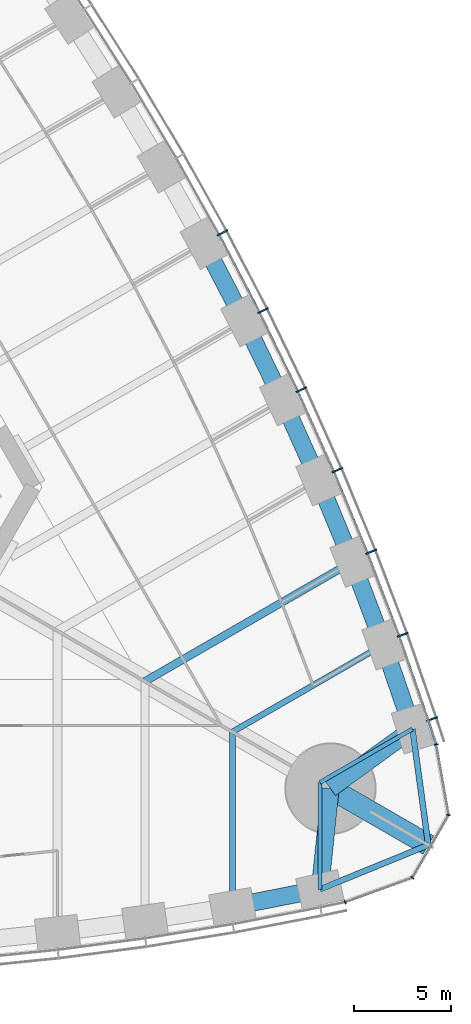
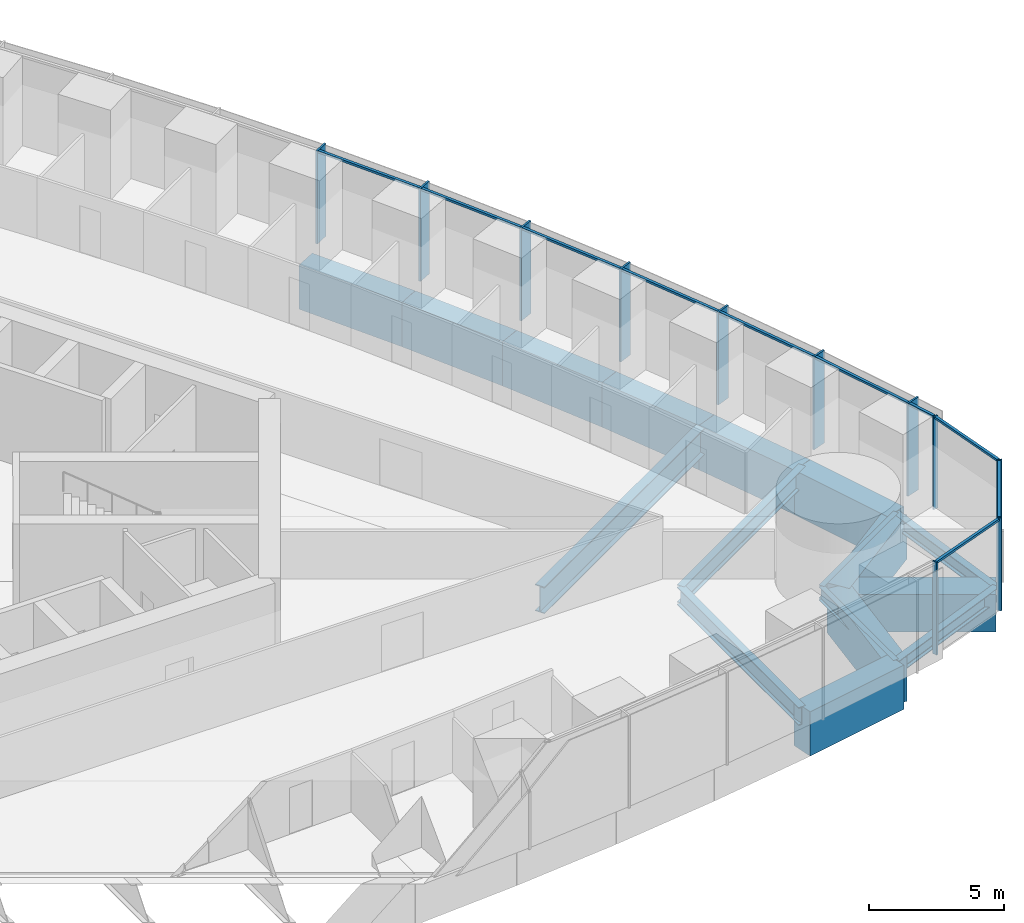
# One storey, part 6 of 18: 21 members, 17 beams, 2 elements without a shape of their own.
"""IFC4 building model written with IfcOpenShell, lengths in metres."""

from ifc_helpers import new_model, si_unit, direction, frame, origin, origin_2d, place, context, subcontext, project, spatial, rectangle, i_section, extrude, material, material_profile, profile_set, type_object, element, aggregate, save


model = new_model("IFC4")

# Units and contexts
model_context = context("Model", 3, precision=1e-05, world=origin(), true_north=direction((0.0, 1.0)))
body_context = subcontext(model_context, "Body", "Model", "MODEL_VIEW")
ifc_project = project(units=[si_unit("LENGTHUNIT", "METRE"), si_unit("AREAUNIT", "SQUARE_METRE"), si_unit("VOLUMEUNIT", "CUBIC_METRE"), si_unit("PLANEANGLEUNIT", "RADIAN"), si_unit("MASSUNIT", "GRAM", prefix="KILO")], contexts=[model_context])

# Site, building, storey
site_placement = place(None, origin())
site = spatial("IfcSite", under=ifc_project, at=site_placement, CompositionType="ELEMENT")
building_placement = place(site_placement, origin())
building = spatial("IfcBuilding", under=site, at=building_placement, Name="Trefoil Bronze Tower", CompositionType="ELEMENT")
storey_placement = place(building_placement, frame((0.0, 0.0, 62.699951171875)))
storey = spatial("IfcBuildingStorey", under=building, at=storey_placement, Name="L14", CompositionType="ELEMENT", Elevation=62.699951171875)

# Curtain wall, members
ifc_material_1 = material(Name="Tinted solar-control glass", Category="glass")
curtain_wall_type_1 = type_object("IfcCurtainWallType", Name="Bronze office curtain wall", PredefinedType="USERDEFINED", material=ifc_material_1)
curtain_wall_1_placement = place(storey_placement, origin())
curtain_wall_1 = element("IfcCurtainWall", 1, at=curtain_wall_1_placement, inside=storey, type_object=curtain_wall_type_1, Name="CW-A L14 F2", ObjectType="CURTAIN WALL", PredefinedType="USERDEFINED")
ifc_material_2 = material(Name="Bronze-finish aluminium", Category="aluminium")
ifc_material_profile_1 = material_profile(ifc_material_2, rectangle(XDim=0.60009765625, YDim=0.080078125, at=origin_2d()), Name="CW-A mullion")
ifc_profile_set_1 = profile_set([ifc_material_profile_1], Name="Bronze-finish aluminium")
member_type_1 = type_object("IfcMemberType", Name="Bronze office curtain wall mullion", PredefinedType="MULLION", material=ifc_profile_set_1)
member_1_placement = place(storey_placement, frame((37.265869140625, -14.92626953125, 0.0), z_axis=(0.0, 0.0, 1.0), x_axis=(-0.947850592929, -0.318715003543, 0.0)))
member_1 = element("IfcMember", 2, at=member_1_placement, type_object=member_type_1, Name="CW-A L14 F2 mullion 2", PredefinedType="MULLION", context=body_context, shape_type="SweptSolid", body=[
    extrude(rectangle(XDim=0.60009765625, YDim=0.080078125, at=origin_2d()), origin(), (0.0, 0.0, 1.0), 4.179931640625),
])
member_2_placement = place(storey_placement, frame((35.761962890625, -10.590087890625, 0.0), z_axis=(0.0, 0.0, 1.0), x_axis=(-0.939860248316, -0.341559238839, 0.0)))
member_2 = element("IfcMember", 3, at=member_2_placement, type_object=member_type_1, Name="CW-A L14 F2 mullion 3", PredefinedType="MULLION", context=body_context, shape_type="SweptSolid", body=[
    extrude(rectangle(XDim=0.60009765625, YDim=0.080078125, at=origin_2d()), origin(), (0.0, 0.0, 1.0), 4.179931640625),
])
member_3_placement = place(storey_placement, frame((34.138916015625, -6.32080078125, 0.0), z_axis=(0.0, 0.0, 1.0), x_axis=(-0.929413605838, -0.369039766534, 0.0)))
member_3 = element("IfcMember", 4, at=member_3_placement, type_object=member_type_1, Name="CW-A L14 F2 mullion 4", PredefinedType="MULLION", context=body_context, shape_type="SweptSolid", body=[
    extrude(rectangle(XDim=0.60009765625, YDim=0.080078125, at=origin_2d()), origin(), (0.0, 0.0, 1.0), 4.179931640625),
])
member_4_placement = place(storey_placement, frame((32.39892578125, -2.119384765625, 0.0), z_axis=(0.0, 0.0, 1.0), x_axis=(-0.918213748442, -0.396085233469, 0.0)))
member_4 = element("IfcMember", 5, at=member_4_placement, type_object=member_type_1, Name="CW-A L14 F2 mullion 5", PredefinedType="MULLION", context=body_context, shape_type="SweptSolid", body=[
    extrude(rectangle(XDim=0.60009765625, YDim=0.080078125, at=origin_2d()), origin(), (0.0, 0.0, 1.0), 4.179931640625),
])
member_5_placement = place(storey_placement, frame((30.543212890625, 2.015380859375, 0.0), z_axis=(0.0, 0.0, 1.0), x_axis=(-0.906269346572, -0.422700687798, 0.0)))
member_5 = element("IfcMember", 6, at=member_5_placement, type_object=member_type_1, Name="CW-A L14 F2 mullion 6", PredefinedType="MULLION", context=body_context, shape_type="SweptSolid", body=[
    extrude(rectangle(XDim=0.60009765625, YDim=0.080078125, at=origin_2d()), origin(), (0.0, 0.0, 1.0), 4.179931640625),
])
member_6_placement = place(storey_placement, frame((28.57275390625, 6.084228515625, 0.0), z_axis=(0.0, 0.0, 1.0), x_axis=(-0.893587025891, -0.448889994497, 0.0)))
member_6 = element("IfcMember", 7, at=member_6_placement, type_object=member_type_1, Name="CW-A L14 F2 mullion 7", PredefinedType="MULLION", context=body_context, shape_type="SweptSolid", body=[
    extrude(rectangle(XDim=0.60009765625, YDim=0.080078125, at=origin_2d()), origin(), (0.0, 0.0, 1.0), 4.179931640625),
])
member_7_placement = place(storey_placement, frame((26.488525390625, 10.0869140625, 0.0), z_axis=(0.0, 0.0, 1.0), x_axis=(-0.880171454588, -0.474655886437, 0.0)))
member_7 = element("IfcMember", 8, at=member_7_placement, type_object=member_type_1, Name="CW-A L14 F2 mullion 8", PredefinedType="MULLION", context=body_context, shape_type="SweptSolid", body=[
    extrude(rectangle(XDim=0.60009765625, YDim=0.080078125, at=origin_2d()), origin(), (0.0, 0.0, 1.0), 4.179931640625),
])
ifc_material_3 = material(Name="Bronze-finish aluminium", Category="aluminium")
ifc_material_profile_2 = material_profile(ifc_material_3, rectangle(XDim=0.1201171875, YDim=0.10009765625, at=origin_2d()), Name="CW-A transom")
ifc_profile_set_2 = profile_set([ifc_material_profile_2], Name="Bronze-finish aluminium")
member_type_2 = type_object("IfcMemberType", Name="Bronze office curtain wall transom", PredefinedType="USERDEFINED", material=ifc_profile_set_2)
member_8_placement = place(storey_placement, frame((37.4638671875, -16.1796875, 4.130126953125), z_axis=(-0.309624219148, 0.950859002648, 0.0), x_axis=(-0.950859002648, -0.309624219148, 0.0)))
member_8 = element("IfcMember", 9, at=member_8_placement, type_object=member_type_2, Name="CW-A L14 F2 transom 1", ObjectType="TRANSOM", PredefinedType="USERDEFINED", context=body_context, shape_type="SweptSolid", body=[
    extrude(rectangle(XDim=0.1201171875, YDim=0.10009765625, at=origin_2d()), origin(), (0.0, 0.0, 1.0), 1.21044921875),
])
member_9_placement = place(storey_placement, frame((37.06298828125, -14.951171875, 4.130126953125), z_axis=(-0.327689728493, 0.944785394595, 0.0), x_axis=(-0.944785394595, -0.327689728493, 0.0)))
member_9 = element("IfcMember", 10, at=member_9_placement, type_object=member_type_2, Name="CW-A L14 F2 transom 2", ObjectType="TRANSOM", PredefinedType="USERDEFINED", context=body_context, shape_type="SweptSolid", body=[
    extrude(rectangle(XDim=0.1201171875, YDim=0.10009765625, at=origin_2d()), origin(), (0.0, 0.0, 1.0), 4.502197265625),
])
member_10_placement = place(storey_placement, frame((35.559326171875, -10.61962890625, 4.130126953125), z_axis=(-0.355367327392, 0.934726731522, 0.0), x_axis=(-0.934726731522, -0.355367327392, 0.0)))
member_10 = element("IfcMember", 11, at=member_10_placement, type_object=member_type_2, Name="CW-A L14 F2 transom 3", ObjectType="TRANSOM", PredefinedType="USERDEFINED", context=body_context, shape_type="SweptSolid", body=[
    extrude(rectangle(XDim=0.1201171875, YDim=0.10009765625, at=origin_2d()), origin(), (0.0, 0.0, 1.0), 4.478515625),
])
member_11_placement = place(storey_placement, frame((33.937255859375, -6.3564453125, 4.130126953125), z_axis=(-0.382616149417, 0.923907399151, 0.0), x_axis=(-0.923907399151, -0.382616149417, 0.0)))
member_11 = element("IfcMember", 12, at=member_11_placement, type_object=member_type_2, Name="CW-A L14 F2 transom 4", ObjectType="TRANSOM", PredefinedType="USERDEFINED", context=body_context, shape_type="SweptSolid", body=[
    extrude(rectangle(XDim=0.1201171875, YDim=0.10009765625, at=origin_2d()), origin(), (0.0, 0.0, 1.0), 4.458984375),
])
member_12_placement = place(storey_placement, frame((32.1982421875, -2.16064453125, 4.130126953125), z_axis=(-0.409459746452, 0.912328184392, 0.0), x_axis=(-0.912328184392, -0.409459746452, 0.0)))
member_12 = element("IfcMember", 13, at=member_12_placement, type_object=member_type_2, Name="CW-A L14 F2 transom 5", ObjectType="TRANSOM", PredefinedType="USERDEFINED", context=body_context, shape_type="SweptSolid", body=[
    extrude(rectangle(XDim=0.1201171875, YDim=0.10009765625, at=origin_2d()), origin(), (0.0, 0.0, 1.0), 4.443359375),
])
member_13_placement = place(storey_placement, frame((30.34375, 1.96826171875, 4.130126953125), z_axis=(-0.435851763293, 0.900018466719, 0.0), x_axis=(-0.900018466719, -0.435851763293, 0.0)))
member_13 = element("IfcMember", 14, at=member_13_placement, type_object=member_type_2, Name="CW-A L14 F2 transom 6", ObjectType="TRANSOM", PredefinedType="USERDEFINED", context=body_context, shape_type="SweptSolid", body=[
    extrude(rectangle(XDim=0.1201171875, YDim=0.10009765625, at=origin_2d()), origin(), (0.0, 0.0, 1.0), 4.431884765625),
])
member_14_placement = place(storey_placement, frame((28.375, 6.031005859375, 4.130126953125), z_axis=(-0.461809621225, 0.886979071762, 0.0), x_axis=(-0.886979071762, -0.461809621225, 0.0)))
member_14 = element("IfcMember", 15, at=member_14_placement, type_object=member_type_2, Name="CW-A L14 F2 transom 7", ObjectType="TRANSOM", PredefinedType="USERDEFINED", context=body_context, shape_type="SweptSolid", body=[
    extrude(rectangle(XDim=0.1201171875, YDim=0.10009765625, at=origin_2d()), origin(), (0.0, 0.0, 1.0), 4.42431640625),
])
aggregate(curtain_wall_1, [member_1, member_2, member_3, member_4, member_5, member_6, member_7, member_8, member_9, member_10, member_11, member_12, member_13, member_14])

ifc_material_4 = material(Name="Tinted solar-control glass", Category="glass")
curtain_wall_type_2 = type_object("IfcCurtainWallType", Name="Bronze rounded corner curtain wall", PredefinedType="USERDEFINED", material=ifc_material_4)
curtain_wall_2_placement = place(storey_placement, origin())
curtain_wall_2 = element("IfcCurtainWall", 16, at=curtain_wall_2_placement, inside=storey, type_object=curtain_wall_type_2, Name="CW-B L14 K1", ObjectType="CURTAIN WALL", PredefinedType="USERDEFINED")
ifc_material_5 = material(Name="Bronze-finish aluminium", Category="aluminium")
ifc_material_profile_3 = material_profile(ifc_material_5, rectangle(XDim=0.199951171875, YDim=0.06005859375, at=origin_2d()), Name="CW-B mullion")
ifc_profile_set_3 = profile_set([ifc_material_profile_3], Name="Bronze-finish aluminium")
member_type_3 = type_object("IfcMemberType", Name="Bronze rounded corner curtain wall mullion", PredefinedType="MULLION", material=ifc_profile_set_3)
member_15_placement = place(storey_placement, frame((32.796630859375, -24.3427734375, 0.0), z_axis=(0.0, 0.0, 1.0), x_axis=(-0.342020143326, 0.939692620786, 0.0)))
member_15 = element("IfcMember", 17, at=member_15_placement, type_object=member_type_3, Name="CW-B L14 K1 mullion 1", PredefinedType="MULLION", context=body_context, shape_type="SweptSolid", body=[
    extrude(rectangle(XDim=0.199951171875, YDim=0.06005859375, at=origin_2d()), origin(), (0.0, 0.0, 1.0), 4.179931640625),
])
member_16_placement = place(storey_placement, frame((36.2548828125, -23.07763671875, 0.0), z_axis=(0.0, 0.0, 1.0), x_axis=(-0.642787609687, 0.766044443119, 0.0)))
member_16 = element("IfcMember", 18, at=member_16_placement, type_object=member_type_3, Name="CW-B L14 K1 mullion 2", PredefinedType="MULLION", context=body_context, shape_type="SweptSolid", body=[
    extrude(rectangle(XDim=0.199951171875, YDim=0.06005859375, at=origin_2d()), origin(), (0.0, 0.0, 1.0), 4.179931640625),
])
member_17_placement = place(storey_placement, frame((38.11328125, -19.85888671875, 0.0), z_axis=(0.0, 0.0, 1.0), x_axis=(-0.984807753012, 0.173648177667, 0.0)))
member_17 = element("IfcMember", 19, at=member_17_placement, type_object=member_type_3, Name="CW-B L14 K1 mullion 3", PredefinedType="MULLION", context=body_context, shape_type="SweptSolid", body=[
    extrude(rectangle(XDim=0.199951171875, YDim=0.06005859375, at=origin_2d()), origin(), (0.0, 0.0, 1.0), 4.179931640625),
])
member_18_placement = place(storey_placement, frame((37.479736328125, -16.2314453125, 0.0), z_axis=(0.0, 0.0, 1.0), x_axis=(-0.984807753012, -0.173648177667, 0.0)))
member_18 = element("IfcMember", 20, at=member_18_placement, type_object=member_type_3, Name="CW-B L14 K1 mullion 4", PredefinedType="MULLION", context=body_context, shape_type="SweptSolid", body=[
    extrude(rectangle(XDim=0.199951171875, YDim=0.06005859375, at=origin_2d()), origin(), (0.0, 0.0, 1.0), 4.179931640625),
])
ifc_material_6 = material(Name="Bronze-finish aluminium", Category="aluminium")
ifc_material_profile_4 = material_profile(ifc_material_6, rectangle(XDim=0.1201171875, YDim=0.10009765625, at=origin_2d()), Name="CW-B transom")
ifc_profile_set_4 = profile_set([ifc_material_profile_4], Name="Bronze-finish aluminium")
member_type_4 = type_object("IfcMemberType", Name="Bronze rounded corner curtain wall transom", PredefinedType="USERDEFINED", material=ifc_profile_set_4)
member_19_placement = place(storey_placement, frame((32.82470703125, -24.33251953125, 4.130126953125), z_axis=(0.939688092095, 0.342032585545, 0.0), x_axis=(-0.342032585545, 0.939688092095, 0.0)))
member_19 = element("IfcMember", 21, at=member_19_placement, type_object=member_type_4, Name="CW-B L14 K1 transom 1", ObjectType="TRANSOM", PredefinedType="USERDEFINED", context=body_context, shape_type="SweptSolid", body=[
    extrude(rectangle(XDim=0.1201171875, YDim=0.10009765625, at=origin_2d()), origin(), (0.0, 0.0, 1.0), 3.588134765625),
])
member_20_placement = place(storey_placement, frame((36.292236328125, -23.02490234375, 4.130126953125), z_axis=(0.500024788772, 0.866011091507, 0.0), x_axis=(-0.866011091507, 0.500024788772, 0.0)))
member_20 = element("IfcMember", 22, at=member_20_placement, type_object=member_type_4, Name="CW-B L14 K1 transom 2", ObjectType="TRANSOM", PredefinedType="USERDEFINED", context=body_context, shape_type="SweptSolid", body=[
    extrude(rectangle(XDim=0.1201171875, YDim=0.10009765625, at=origin_2d()), origin(), (0.0, 0.0, 1.0), 3.588134765625),
])
member_21_placement = place(storey_placement, frame((38.10791015625, -19.794677734375, 4.130126953125), z_axis=(-0.17363783606, 0.984809576461, 0.0), x_axis=(-0.984809576461, -0.17363783606, 0.0)))
member_21 = element("IfcMember", 23, at=member_21_placement, type_object=member_type_4, Name="CW-B L14 K1 transom 3", ObjectType="TRANSOM", PredefinedType="USERDEFINED", context=body_context, shape_type="SweptSolid", body=[
    extrude(rectangle(XDim=0.1201171875, YDim=0.10009765625, at=origin_2d()), origin(), (0.0, 0.0, 1.0), 3.588134765625),
])
aggregate(curtain_wall_2, [member_15, member_16, member_17, member_18, member_19, member_20, member_21])

# Beams
ifc_material_7 = material(Name="Concrete B80", Category="concrete")
ifc_material_profile_5 = material_profile(ifc_material_7, rectangle(XDim=1.10009765625, YDim=1.699951171875, at=origin_2d()), Name="RC 1100x1700")
ifc_profile_set_5 = profile_set([ifc_material_profile_5], Name="Concrete B80")
beam_type_1 = type_object("IfcBeamType", Name="Corner cantilever RC 1100x1700", PredefinedType="BEAM", material=ifc_profile_set_5)
beam_1_placement = place(storey_placement, frame((32.04296875, -18.5, -1.050048828125), z_axis=(0.866030348588, -0.499991435252, 0.0), x_axis=(0.499991435252, 0.866030348588, 0.0)))
element("IfcBeam", 24, at=beam_1_placement, inside=storey, type_object=beam_type_1, Name="Corner cantilever K1 L14", PredefinedType="BEAM", context=body_context, shape_type="SweptSolid", body=[
    extrude(rectangle(XDim=1.10009765625, YDim=1.699951171875, at=origin_2d()), origin(), (0.0, 0.0, 1.0), 5.81396484375),
])
ifc_material_8 = material(Name="Steel C355", Category="steel")
ifc_material_profile_6 = material_profile(ifc_material_8, i_section(OverallWidth=0.300048828125, OverallDepth=0.60009765625, WebThickness=0.015380859375, FlangeThickness=0.030029296875, FilletRadius=0.027099609375, at=origin_2d()), Name="HEB 600")
ifc_profile_set_6 = profile_set([ifc_material_profile_6], Name="Steel C355")
beam_type_2 = type_object("IfcBeamType", Name="Corner edge beam HEB 600", PredefinedType="BEAM", material=ifc_profile_set_6)
beam_2_placement = place(storey_placement, frame((31.5, -23.684814453125, -0.5), z_axis=(0.925786874353, 0.378045848114, 0.0), x_axis=(-0.378045848114, 0.925786874353, 0.0)))
element("IfcBeam", 25, at=beam_2_placement, inside=storey, type_object=beam_type_2, Name="Corner edge beam F1A L14", PredefinedType="BEAM", context=body_context, shape_type="SweptSolid", body=[
    extrude(i_section(OverallWidth=0.300048828125, OverallDepth=0.60009765625, WebThickness=0.015380859375, FlangeThickness=0.030029296875, FilletRadius=0.027099609375, at=origin_2d()), origin(), (0.0, 0.0, 1.0), 6.025390625),
])
beam_3_placement = place(storey_placement, frame((36.26171875, -15.4375, -0.5), z_axis=(0.13550196505, -0.990777077585, 0.0), x_axis=(0.990777077585, 0.13550196505, 0.0)))
element("IfcBeam", 26, at=beam_3_placement, inside=storey, type_object=beam_type_2, Name="Corner edge beam F2B L14", PredefinedType="BEAM", context=body_context, shape_type="SweptSolid", body=[
    extrude(i_section(OverallWidth=0.300048828125, OverallDepth=0.60009765625, WebThickness=0.015380859375, FlangeThickness=0.030029296875, FilletRadius=0.027099609375, at=origin_2d()), origin(), (0.0, 0.0, 1.0), 6.025146484375),
])
ifc_material_9 = material(Name="Concrete B80", Category="concrete")
ifc_material_profile_7 = material_profile(ifc_material_9, rectangle(XDim=0.89990234375, YDim=2.0, at=origin_2d()), Name="RC 900x2000")
ifc_profile_set_7 = profile_set([ifc_material_profile_7], Name="Concrete B80")
beam_type_3 = type_object("IfcBeamType", Name="End spandrel beam RC 900x2000", PredefinedType="SPANDREL", material=ifc_profile_set_7)
for number, where, z_axis, x_axis, name in (
    (27, (31.5, -23.684814453125, -1.199951171875), (0.104153327908, 0.994561252154, 0.0), (-0.994561252154, 0.104153327908, 0.0), "Spandrel F1.16 L14"),
    (28, (32.04296875, -18.5, -1.199951171875), (0.809254211267, 0.587458612624, 0.0), (-0.587458612624, 0.809254211267, 0.0), "Spandrel F2.1 L14"),
):
    element("IfcBeam", number, at=place(storey_placement, frame(where, z_axis=z_axis, x_axis=x_axis)), inside=storey, type_object=beam_type_3, Name=name, PredefinedType="SPANDREL", context=body_context, shape_type="SweptSolid", body=[
        extrude(rectangle(XDim=0.89990234375, YDim=2.0, at=origin_2d()), origin(), (0.0, 0.0, 1.0), 5.213134765625),
    ])
ifc_material_10 = material(Name="Steel C355", Category="steel")
ifc_material_profile_8 = material_profile(ifc_material_10, i_section(OverallWidth=0.300048828125, OverallDepth=0.800048828125, WebThickness=0.017578125, FlangeThickness=0.032958984375, FilletRadius=0.030029296875, at=origin_2d()), Name="HEB 800")
ifc_profile_set_8 = profile_set([ifc_material_profile_8], Name="Steel C355")
beam_type_4 = type_object("IfcBeamType", Name="Floor beam HEB 800", PredefinedType="BEAM", material=ifc_profile_set_8)
for number, where, z_axis, x_axis, name in (
    (29, (27.0, -24.56787109375, -0.599853515625), (0.0, 1.0, 0.0), (-1.0, 0.0, 0.0), "Floor beam F1/+6 L14"),
    (30, (34.7763671875, -11.0986328125, -0.599853515625), (-0.866022587327, -0.500004878216, 0.0), (0.500004878216, -0.866022587327, 0.0), "Floor beam F2/-6 L14"),
):
    element("IfcBeam", number, at=place(storey_placement, frame(where, z_axis=z_axis, x_axis=x_axis)), inside=storey, type_object=beam_type_4, Name=name, PredefinedType="BEAM", context=body_context, shape_type="SweptSolid", body=[
        extrude(i_section(OverallWidth=0.300048828125, OverallDepth=0.800048828125, WebThickness=0.017578125, FlangeThickness=0.032958984375, FilletRadius=0.030029296875, at=origin_2d()), origin(), (0.0, 0.0, 1.0), 8.9794921875),
    ])
ifc_material_11 = material(Name="Steel C355", Category="steel")
ifc_material_profile_9 = material_profile(ifc_material_11, i_section(OverallWidth=0.219970703125, OverallDepth=0.60009765625, WebThickness=0.011962890625, FlangeThickness=0.01904296875, FilletRadius=0.02392578125, at=origin_2d()), Name="IPE 600")
ifc_profile_set_9 = profile_set([ifc_material_profile_9], Name="Steel C355")
beam_type_5 = type_object("IfcBeamType", Name="Floor beam IPE 600", PredefinedType="BEAM", material=ifc_profile_set_9)
for number, where, z_axis, x_axis, name in (
    (31, (31.5, -23.684814453125, -0.5), (0.0, 1.0, 0.0), (-1.0, 0.0, 0.0), "Floor beam F1/+7 L14"),
    (32, (36.26171875, -15.4375, -0.5), (-0.866037702141, -0.499978698016, 0.0), (0.499978698016, -0.866037702141, 0.0), "Floor beam F2/-7 L14"),
):
    element("IfcBeam", number, at=place(storey_placement, frame(where, z_axis=z_axis, x_axis=x_axis)), inside=storey, type_object=beam_type_5, Name=name, PredefinedType="BEAM", context=body_context, shape_type="SweptSolid", body=[
        extrude(i_section(OverallWidth=0.219970703125, OverallDepth=0.60009765625, WebThickness=0.011962890625, FlangeThickness=0.01904296875, FilletRadius=0.02392578125, at=origin_2d()), origin(), (0.0, 0.0, 1.0), 5.498291015625),
    ])
ifc_material_12 = material(Name="Steel C355", Category="steel")
ifc_material_profile_10 = material_profile(ifc_material_12, i_section(OverallWidth=0.39990234375, OverallDepth=1.199951171875, WebThickness=0.02001953125, FlangeThickness=0.0400390625, FilletRadius=0.010009765625, at=origin_2d()), Name="WPG 1200")
ifc_profile_set_10 = profile_set([ifc_material_profile_10], Name="Steel C355")
beam_type_6 = type_object("IfcBeamType", Name="Floor beam WPG 1200", PredefinedType="BEAM", material=ifc_profile_set_10)
beam_4_placement = place(storey_placement, frame((33.159912109375, -6.8359375, -0.800048828125), z_axis=(-0.866024070878, -0.500002308654, 0.0), x_axis=(0.500002308654, -0.866024070878, 0.0)))
element("IfcBeam", 33, at=beam_4_placement, inside=storey, type_object=beam_type_6, Name="Floor beam F2/-5 L14", PredefinedType="BEAM", context=body_context, shape_type="SweptSolid", body=[
    extrude(i_section(OverallWidth=0.39990234375, OverallDepth=1.199951171875, WebThickness=0.02001953125, FlangeThickness=0.0400390625, FilletRadius=0.010009765625, at=origin_2d()), origin(), (0.0, 0.0, 1.0), 12.30908203125),
])
ifc_material_13 = material(Name="Concrete B80", Category="concrete")
ifc_material_profile_11 = material_profile(ifc_material_13, rectangle(XDim=0.89990234375, YDim=2.0, at=origin_2d()), Name="RC 900x2000")
ifc_profile_set_11 = profile_set([ifc_material_profile_11], Name="Concrete B80")
beam_type_7 = type_object("IfcBeamType", Name="Spandrel beam RC 900x2000", PredefinedType="SPANDREL", material=ifc_profile_set_11)
beam_5_placement = place(storey_placement, frame((27.0, -24.56787109375, -1.199951171875), z_axis=(0.981284764092, 0.192562228283, 0.0), x_axis=(-0.192562228283, 0.981284764092, 0.0)))
element("IfcBeam", 34, at=beam_5_placement, inside=storey, type_object=beam_type_7, Name="Spandrel F1.15 L14", PredefinedType="SPANDREL", context=body_context, shape_type="SweptSolid", body=[
    extrude(rectangle(XDim=0.89990234375, YDim=2.0, at=origin_2d()), origin(), (0.0, 0.0, 1.0), 4.5859375),
])
beam_6_placement = place(storey_placement, frame((36.26171875, -15.4375, -1.199951171875), z_axis=(-0.323883319148, 0.946097032855, 0.0), x_axis=(-0.946097032855, -0.323883319148, 0.0)))
element("IfcBeam", 35, at=beam_6_placement, inside=storey, type_object=beam_type_7, Name="Spandrel F2.2 L14", PredefinedType="SPANDREL", context=body_context, shape_type="SweptSolid", body=[
    extrude(rectangle(XDim=0.89990234375, YDim=2.0, at=origin_2d()), origin(), (0.0, 0.0, 1.0), 4.586181640625),
])
beam_7_placement = place(storey_placement, frame((34.7763671875, -11.0986328125, -1.199951171875), z_axis=(-0.354571899767, 0.935028752443, 0.0), x_axis=(-0.935028752443, -0.354571899767, 0.0)))
element("IfcBeam", 36, at=beam_7_placement, inside=storey, type_object=beam_type_7, Name="Spandrel F2.3 L14", PredefinedType="SPANDREL", context=body_context, shape_type="SweptSolid", body=[
    extrude(rectangle(XDim=0.89990234375, YDim=2.0, at=origin_2d()), origin(), (0.0, 0.0, 1.0), 4.558837890625),
])
beam_8_placement = place(storey_placement, frame((33.159912109375, -6.8359375, -1.199951171875), z_axis=(-0.382020825144, 0.924153715113, 0.0), x_axis=(-0.924153715113, -0.382020825144, 0.0)))
element("IfcBeam", 37, at=beam_8_placement, inside=storey, type_object=beam_type_7, Name="Spandrel F2.4 L14", PredefinedType="SPANDREL", context=body_context, shape_type="SweptSolid", body=[
    extrude(rectangle(XDim=0.89990234375, YDim=2.0, at=origin_2d()), origin(), (0.0, 0.0, 1.0), 4.539306640625),
])
beam_9_placement = place(storey_placement, frame((31.42578125, -2.640869140625, -1.199951171875), z_axis=(-0.408945873044, 0.912558640812, 0.0), x_axis=(-0.912558640812, -0.408945873044, 0.0)))
element("IfcBeam", 38, at=beam_9_placement, inside=storey, type_object=beam_type_7, Name="Spandrel F2.5 L14", PredefinedType="SPANDREL", context=body_context, shape_type="SweptSolid", body=[
    extrude(rectangle(XDim=0.89990234375, YDim=2.0, at=origin_2d()), origin(), (0.0, 0.0, 1.0), 4.5234375),
])
beam_10_placement = place(storey_placement, frame((29.575927734375, 1.487060546875, -1.199951171875), z_axis=(-0.435510013583, 0.900183885697, 0.0), x_axis=(-0.900183885697, -0.435510013583, 0.0)))
element("IfcBeam", 39, at=beam_10_placement, inside=storey, type_object=beam_type_7, Name="Spandrel F2.6 L14", PredefinedType="SPANDREL", context=body_context, shape_type="SweptSolid", body=[
    extrude(rectangle(XDim=0.89990234375, YDim=2.0, at=origin_2d()), origin(), (0.0, 0.0, 1.0), 4.51220703125),
])
beam_11_placement = place(storey_placement, frame((27.61083984375, 5.548828125, -1.199951171875), z_axis=(-0.461637716615, 0.887068553495, 0.0), x_axis=(-0.887068553495, -0.461637716615, 0.0)))
element("IfcBeam", 40, at=beam_11_placement, inside=storey, type_object=beam_type_7, Name="Spandrel F2.7 L14", PredefinedType="SPANDREL", context=body_context, shape_type="SweptSolid", body=[
    extrude(rectangle(XDim=0.89990234375, YDim=2.0, at=origin_2d()), origin(), (0.0, 0.0, 1.0), 4.50439453125),
])

save(model, "model.ifc")
